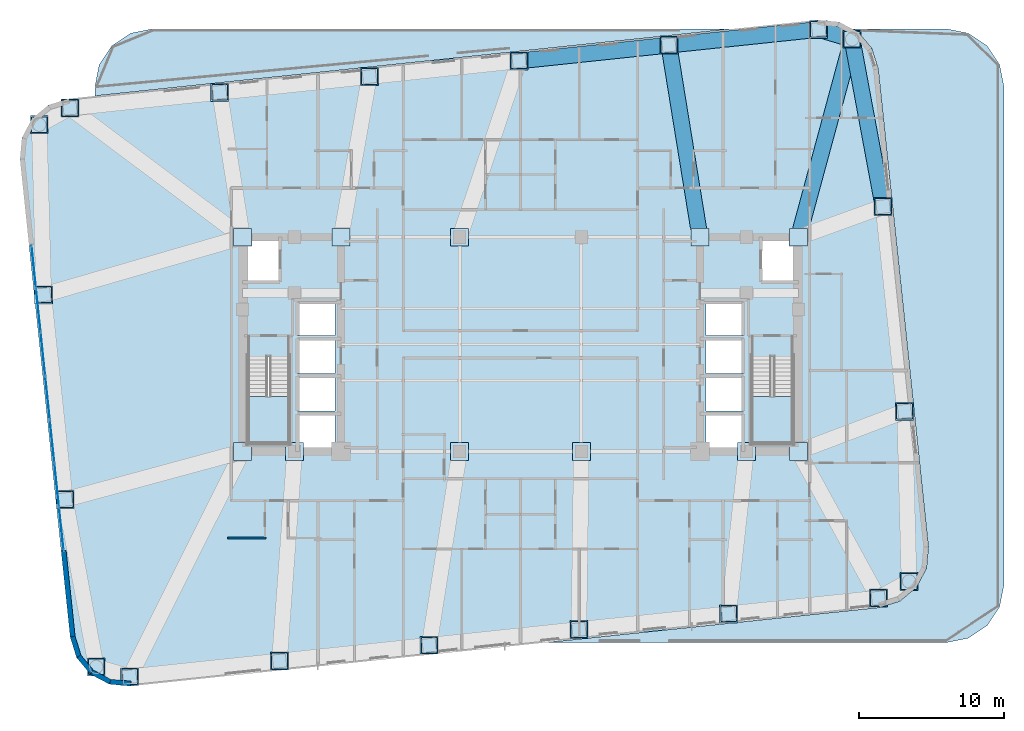
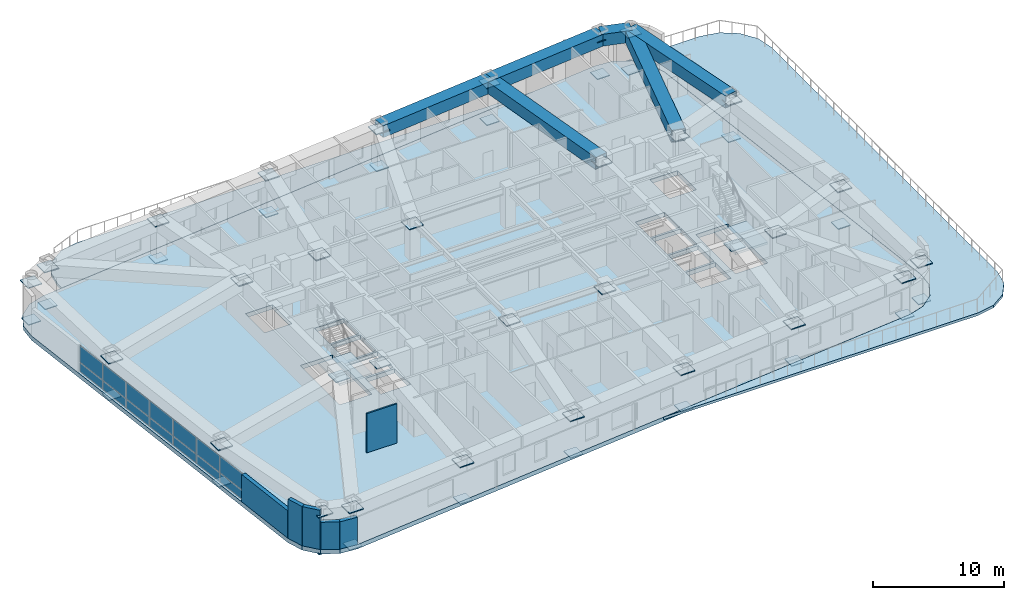
# One storey, part 6 of 15: 65 plates, 6 beams, 6 walls, 5 slabs, 3 elements without a shape of their own.
"""IFC4 building model written with IfcOpenShell, lengths in metres."""

from ifc_helpers import new_model, si_unit, direction, frame, frame_2d, origin, origin_2d, place, context, subcontext, project, spatial, polyline, rectangle, hollow_rectangle, outline, extrude, material, layer, layer_set, material_profile, profile_set, type_object, element, aggregate, save


model = new_model("IFC4")

# Units and contexts
model_context = context("Model", 3, precision=1e-05, world=origin(), true_north=direction((0.0, 1.0)))
body_context = subcontext(model_context, "Body", "Model", "MODEL_VIEW")
ifc_project = project(units=[si_unit("LENGTHUNIT", "METRE"), si_unit("AREAUNIT", "SQUARE_METRE"), si_unit("VOLUMEUNIT", "CUBIC_METRE"), si_unit("PLANEANGLEUNIT", "RADIAN"), si_unit("MASSUNIT", "GRAM", prefix="KILO")], contexts=[model_context])

# Site, building, storey
site_placement = place(None, origin())
site = spatial("IfcSite", under=ifc_project, at=site_placement, CompositionType="ELEMENT")
building_placement = place(site_placement, origin())
building = spatial("IfcBuilding", under=site, at=building_placement, Name="Voryun Gate Residences", CompositionType="ELEMENT")
storey_placement = place(building_placement, frame((0.0, 0.0, 140.39990234375)))
storey = spatial("IfcBuildingStorey", under=building, at=storey_placement, Name="L34", CompositionType="ELEMENT", Elevation=140.39990234375)

# Beams
ifc_material_1 = material(Name="Steel SM420", Category="steel")
ifc_material_profile = material_profile(ifc_material_1, hollow_rectangle(XDim=1.10009765625, YDim=1.10009765625, WallThickness=0.035888671875, at=origin_2d()), Name="BOX-1100x1100x36")
ifc_profile_set = profile_set([ifc_material_profile], Name="Steel SM420")
beam_type = type_object("IfcBeamType", Name="BM_ARCH_RIB", PredefinedType="USERDEFINED", material=ifc_profile_set)
beam_1_placement = place(storey_placement, frame((25.047119140625, 9.51806640625, 3.10009765625), z_axis=(-0.182267768769, 0.983248931079, 0.0), x_axis=(-0.983248931079, -0.182267768769, 0.0)))
element("IfcBeam", 1, at=beam_1_placement, inside=storey, type_object=beam_type, Name="BM-L34-SPAND-09", ObjectType="GIRDER", PredefinedType="USERDEFINED", context=body_context, shape_type="SweptSolid", body=[
    extrude(hollow_rectangle(XDim=1.10009765625, YDim=1.10009765625, WallThickness=0.035888671875, at=origin_2d()), origin(), (0.0, 0.0, 1.0), 11.753662109375),
])
beam_2_placement = place(storey_placement, frame((22.90478515625, 21.074951171875, 3.10009765625), z_axis=(-0.958843048967, 0.283936625758, 0.0), x_axis=(-0.283936625758, -0.958843048967, 0.0)))
element("IfcBeam", 2, at=beam_2_placement, inside=storey, type_object=beam_type, Name="BM-L34-SPAND-10", ObjectType="GIRDER", PredefinedType="USERDEFINED", context=body_context, shape_type="SweptSolid", body=[
    extrude(hollow_rectangle(XDim=1.10009765625, YDim=1.10009765625, WallThickness=0.035888671875, at=origin_2d()), origin(), (0.0, 0.0, 1.0), 2.410888671875),
])
for number, where, z_axis, x_axis, name in (
    (3, (20.593017578125, 21.759521484375, 3.10009765625), (-0.994521263116, -0.104534478571, 0.0), (0.104534478571, -0.994521263116, 0.0), "BM-L34-SPAND-11"),
    (4, (10.25, 20.67236328125, 3.10009765625), (-0.99452370336, -0.10451125994, 0.0), (0.10451125994, -0.99452370336, 0.0), "BM-L34-SPAND-12"),
):
    element("IfcBeam", number, at=place(storey_placement, frame(where, z_axis=z_axis, x_axis=x_axis)), inside=storey, type_object=beam_type, Name=name, ObjectType="GIRDER", PredefinedType="USERDEFINED", context=body_context, shape_type="SweptSolid", body=[
        extrude(hollow_rectangle(XDim=1.10009765625, YDim=1.10009765625, WallThickness=0.035888671875, at=origin_2d()), origin(), (0.0, 0.0, 1.0), 10.39990234375),
    ])
beam_3_placement = place(storey_placement, frame((19.199951171875, 7.39990234375, 3.10009765625), z_axis=(0.261492735838, 0.965205443988, 0.0), x_axis=(-0.965205443988, 0.261492735838, 0.0)))
element("IfcBeam", 5, at=beam_3_placement, inside=storey, type_object=beam_type, Name="BM-L34-RAD-CNE", ObjectType="GIRDER", PredefinedType="USERDEFINED", context=body_context, shape_type="SweptSolid", body=[
    extrude(hollow_rectangle(XDim=1.10009765625, YDim=1.10009765625, WallThickness=0.035888671875, at=origin_2d()), origin(), (0.0, 0.0, 1.0), 14.16796875),
])
beam_4_placement = place(storey_placement, frame((12.39990234375, 7.39990234375, 3.10009765625), z_axis=(-0.159898055533, 0.987133532931, 0.0), x_axis=(-0.987133532931, -0.159898055533, 0.0)))
element("IfcBeam", 6, at=beam_4_placement, inside=storey, type_object=beam_type, Name="BM-L34-RAD-N2", ObjectType="GIRDER", PredefinedType="USERDEFINED", context=body_context, shape_type="SweptSolid", body=[
    extrude(hollow_rectangle(XDim=1.10009765625, YDim=1.10009765625, WallThickness=0.035888671875, at=origin_2d()), origin(), (0.0, 0.0, 1.0), 13.445556640625),
])

# Plates
ifc_material_2 = material(Name="Steel SM355", Category="steel")
ifc_layer_1 = layer(ifc_material_2, 0.02490234375, Name="PLT_END_CAP_25")
ifc_layer_set_1 = layer_set([ifc_layer_1], Name="Steel SM355")
plate_type_1 = type_object("IfcPlateType", Name="PLT_END_CAP_25", PredefinedType="USERDEFINED", material=ifc_layer_set_1)
for number, where, z_axis, x_axis, name in (
    (7, (-26.9931640625, -22.95947265625, -0.43994140625), (0.0, 0.0, 1.0), (1.0, 0.0, 0.0), "L34 Hollow Member End-Cap Plate EC-447"),
    (8, (-16.650146484375, -21.87255859375, -0.43994140625), (0.0, 0.0, 1.0), (1.0, 0.0, 0.0), "L34 Hollow Member End-Cap Plate EC-448"),
    (9, (-6.30712890625, -20.785400390625, -0.43994140625), (0.0, 0.0, 1.0), (1.0, 0.0, 0.0), "L34 Hollow Member End-Cap Plate EC-449"),
    (10, (4.035888671875, -19.6982421875, -0.43994140625), (0.0, 0.0, 1.0), (1.0, 0.0, 0.0), "L34 Hollow Member End-Cap Plate EC-450"),
    (11, (14.37890625, -18.611083984375, -0.43994140625), (0.0, 0.0, 1.0), (1.0, 0.0, 0.0), "L34 Hollow Member End-Cap Plate EC-451"),
    (12, (24.721923828125, -17.524169921875, -0.43994140625), (0.0, 0.0, 1.0), (1.0, 0.0, 0.0), "L34 Hollow Member End-Cap Plate EC-452"),
    (13, (26.8408203125, -16.373779296875, -0.43994140625), (0.0, 0.0, 1.0), (1.0, 0.0, 0.0), "L34 Hollow Member End-Cap Plate EC-453"),
    (14, (26.533447265625, -4.6240234375, -0.43994140625), (0.0, 0.0, 1.0), (1.0, 0.0, 0.0), "L34 Hollow Member End-Cap Plate EC-454"),
    (15, (25.047119140625, 9.51806640625, -0.43994140625), (0.0, 0.0, 1.0), (1.0, 0.0, 0.0), "L34 Hollow Member End-Cap Plate EC-455"),
    (16, (22.90478515625, 21.07470703125, -0.43994140625), (0.0, 0.0, 1.0), (1.0, 0.0, 0.0), "L34 Hollow Member End-Cap Plate EC-456"),
    (17, (20.593017578125, 21.759521484375, -0.43994140625), (0.0, 0.0, 1.0), (1.0, 0.0, 0.0), "L34 Hollow Member End-Cap Plate EC-457"),
    (18, (10.25, 20.672607421875, -0.43994140625), (0.0, 0.0, 1.0), (1.0, 0.0, 0.0), "L34 Hollow Member End-Cap Plate EC-458"),
    (19, (-0.093017578125, 19.58544921875, -0.43994140625), (0.0, 0.0, 1.0), (1.0, 0.0, 0.0), "L34 Hollow Member End-Cap Plate EC-459"),
    (20, (-10.43603515625, 18.498291015625, -0.43994140625), (0.0, 0.0, 1.0), (1.0, 0.0, 0.0), "L34 Hollow Member End-Cap Plate EC-460"),
    (21, (-20.779052734375, 17.4111328125, -0.43994140625), (0.0, 0.0, 1.0), (1.0, 0.0, 0.0), "L34 Hollow Member End-Cap Plate EC-461"),
    (22, (-31.1220703125, 16.32421875, -0.43994140625), (0.0, 0.0, 1.0), (1.0, 0.0, 0.0), "L34 Hollow Member End-Cap Plate EC-462"),
    (23, (-33.24072265625, 15.173583984375, -0.43994140625), (0.0, 0.0, 1.0), (1.0, 0.0, 0.0), "L34 Hollow Member End-Cap Plate EC-463"),
    (24, (-32.93359375, 3.424072265625, -0.43994140625), (0.0, 0.0, 1.0), (1.0, 0.0, 0.0), "L34 Hollow Member End-Cap Plate EC-464"),
    (25, (-31.447021484375, -10.718017578125, -0.43994140625), (0.0, 0.0, 1.0), (1.0, 0.0, 0.0), "L34 Hollow Member End-Cap Plate EC-465"),
    (26, (-29.3046875, -22.27490234375, -0.43994140625), (0.0, 0.0, 1.0), (1.0, 0.0, 0.0), "L34 Hollow Member End-Cap Plate EC-466"),
):
    element("IfcPlate", number, at=place(storey_placement, frame(where, z_axis=z_axis, x_axis=x_axis)), inside=storey, type_object=plate_type_1, Name=name, ObjectType="BASE_PLATE", PredefinedType="USERDEFINED", context=body_context, shape_type="SweptSolid", body=[
        extrude(rectangle(XDim=1.090087890625, YDim=1.090087890625, at=origin_2d()), origin(), (0.0, 0.0, 1.0), 0.080078125),
    ])
for number, where, z_axis, x_axis, name in (
    (27, (-26.9931640625, -22.959716796875, 3.06005859375), (0.0, 0.0, 1.0), (1.0, 0.0, 0.0), "L34 Hollow Member End-Cap Plate EC-467"),
    (28, (-16.650146484375, -21.87255859375, 3.06005859375), (0.0, 0.0, 1.0), (1.0, 0.0, 0.0), "L34 Hollow Member End-Cap Plate EC-468"),
    (29, (-6.30712890625, -20.785400390625, 3.06005859375), (0.0, 0.0, 1.0), (1.0, 0.0, 0.0), "L34 Hollow Member End-Cap Plate EC-469"),
    (30, (4.035888671875, -19.6982421875, 3.06005859375), (0.0, 0.0, 1.0), (1.0, 0.0, 0.0), "L34 Hollow Member End-Cap Plate EC-470"),
    (31, (14.37890625, -18.611083984375, 3.06005859375), (0.0, 0.0, 1.0), (1.0, 0.0, 0.0), "L34 Hollow Member End-Cap Plate EC-471"),
    (32, (24.721923828125, -17.524169921875, 3.06005859375), (0.0, 0.0, 1.0), (1.0, 0.0, 0.0), "L34 Hollow Member End-Cap Plate EC-472"),
    (33, (26.8408203125, -16.373779296875, 3.06005859375), (0.0, 0.0, 1.0), (1.0, 0.0, 0.0), "L34 Hollow Member End-Cap Plate EC-473"),
    (34, (26.533447265625, -4.6240234375, 3.06005859375), (0.0, 0.0, 1.0), (1.0, 0.0, 0.0), "L34 Hollow Member End-Cap Plate EC-474"),
    (35, (25.047119140625, 9.51806640625, 3.06005859375), (0.0, 0.0, 1.0), (1.0, 0.0, 0.0), "L34 Hollow Member End-Cap Plate EC-475"),
    (36, (22.90478515625, 21.07470703125, 3.06005859375), (0.0, 0.0, 1.0), (1.0, 0.0, 0.0), "L34 Hollow Member End-Cap Plate EC-476"),
    (37, (20.593017578125, 21.759521484375, 3.06005859375), (0.0, 0.0, 1.0), (1.0, 0.0, 0.0), "L34 Hollow Member End-Cap Plate EC-477"),
    (38, (10.25, 20.672607421875, 3.06005859375), (0.0, 0.0, 1.0), (1.0, 0.0, 0.0), "L34 Hollow Member End-Cap Plate EC-478"),
    (39, (-0.093017578125, 19.585205078125, 3.06005859375), (0.0, 0.0, 1.0), (1.0, 0.0, 0.0), "L34 Hollow Member End-Cap Plate EC-479"),
    (40, (-10.43603515625, 18.498291015625, 3.06005859375), (0.0, 0.0, 1.0), (1.0, 0.0, 0.0), "L34 Hollow Member End-Cap Plate EC-480"),
    (41, (-20.779052734375, 17.4111328125, 3.06005859375), (0.0, 0.0, 1.0), (1.0, 0.0, 0.0), "L34 Hollow Member End-Cap Plate EC-481"),
    (42, (-31.1220703125, 16.32421875, 3.06005859375), (0.0, 0.0, 1.0), (1.0, 0.0, 0.0), "L34 Hollow Member End-Cap Plate EC-482"),
    (43, (-33.24072265625, 15.173583984375, 3.06005859375), (0.0, 0.0, 1.0), (1.0, 0.0, 0.0), "L34 Hollow Member End-Cap Plate EC-483"),
    (44, (-32.93359375, 3.424072265625, 3.06005859375), (0.0, 0.0, 1.0), (1.0, 0.0, 0.0), "L34 Hollow Member End-Cap Plate EC-484"),
    (45, (-31.447021484375, -10.718017578125, 3.06005859375), (0.0, 0.0, 1.0), (1.0, 0.0, 0.0), "L34 Hollow Member End-Cap Plate EC-485"),
    (46, (-29.3046875, -22.27490234375, 3.06005859375), (0.0, 0.0, 1.0), (1.0, 0.0, 0.0), "L34 Hollow Member End-Cap Plate EC-486"),
    (47, (-19.199951171875, -7.39990234375, 3.06005859375), (0.0, 0.0, 1.0), (1.0, 0.0, 0.0), "L34 Hollow Member End-Cap Plate EC-487"),
    (48, (-15.60009765625, -7.39990234375, 3.06005859375), (0.0, 0.0, 1.0), (1.0, 0.0, 0.0), "L34 Hollow Member End-Cap Plate EC-488"),
    (49, (-4.199951171875, -7.39990234375, 3.06005859375), (0.0, 0.0, 1.0), (1.0, 0.0, 0.0), "L34 Hollow Member End-Cap Plate EC-489"),
    (50, (4.199951171875, -7.39990234375, 3.06005859375), (0.0, 0.0, 1.0), (1.0, 0.0, 0.0), "L34 Hollow Member End-Cap Plate EC-490"),
    (51, (15.60009765625, -7.39990234375, 3.06005859375), (0.0, 0.0, 1.0), (1.0, 0.0, 0.0), "L34 Hollow Member End-Cap Plate EC-491"),
    (52, (19.199951171875, -7.39990234375, 3.06005859375), (0.0, 0.0, 1.0), (1.0, 0.0, 0.0), "L34 Hollow Member End-Cap Plate EC-492"),
    (53, (19.199951171875, 7.39990234375, 3.06005859375), (0.0, 0.0, 1.0), (1.0, 0.0, 0.0), "L34 Hollow Member End-Cap Plate EC-493"),
    (54, (12.39990234375, 7.39990234375, 3.06005859375), (0.0, 0.0, 1.0), (1.0, 0.0, 0.0), "L34 Hollow Member End-Cap Plate EC-494"),
    (55, (-4.199951171875, 7.39990234375, 3.06005859375), (0.0, 0.0, 1.0), (1.0, 0.0, 0.0), "L34 Hollow Member End-Cap Plate EC-495"),
    (56, (-12.39990234375, 7.39990234375, 3.06005859375), (0.0, 0.0, 1.0), (1.0, 0.0, 0.0), "L34 Hollow Member End-Cap Plate EC-496"),
    (57, (-19.199951171875, 7.39990234375, 3.06005859375), (0.0, 0.0, 1.0), (1.0, 0.0, 0.0), "L34 Hollow Member End-Cap Plate EC-497"),
):
    element("IfcPlate", number, at=place(storey_placement, frame(where, z_axis=z_axis, x_axis=x_axis)), inside=storey, type_object=plate_type_1, Name=name, ObjectType="BASE_PLATE", PredefinedType="USERDEFINED", context=body_context, shape_type="SweptSolid", body=[
        extrude(rectangle(XDim=1.239990234375, YDim=1.239990234375, at=origin_2d()), origin(), (0.0, 0.0, 1.0), 0.080078125),
    ])

# Curtain wall, plates
ifc_material_3 = material(Name="Anodised aluminium", Category="aluminium")
ifc_layer_2 = layer(ifc_material_3, 0.2099609375, Name="CW_SYS_SKYGARDEN_DARK_GLASS")
ifc_layer_set_2 = layer_set([ifc_layer_2], Name="Anodised aluminium")
curtain_wall_type = type_object("IfcCurtainWallType", Name="CW_SYS_SKYGARDEN_DARK_GLASS", PredefinedType="NOTDEFINED", material=ifc_layer_set_2)
curtain_wall_placement = place(storey_placement, origin())
curtain_wall = element("IfcCurtainWall", 58, at=curtain_wall_placement, inside=storey, type_object=curtain_wall_type, Name="Curtain wall CW5-L34-SG-06", PredefinedType="NOTDEFINED")
ifc_material_4 = material(Name="Laminated low-E glass", Category="glass")
ifc_layer_3 = layer(ifc_material_4, 0.0458984375, Name="PLT_GLASS_DARK_SKY")
ifc_layer_set_3 = layer_set([ifc_layer_3], Name="Laminated low-E glass")
plate_type_2 = type_object("IfcPlateType", Name="PLT_GLASS_DARK_SKY", PredefinedType="CURTAIN_PANEL", material=ifc_layer_set_3)
plate_1_placement = place(storey_placement, frame((-31.71826171875, -12.7294921875, 0.06005859375), z_axis=(0.0, 0.0, 1.0), x_axis=(-0.104529794654, 0.994521755433, 0.0)))
plate_1 = element("IfcPlate", 59, at=plate_1_placement, type_object=plate_type_2, Name="CW5 panel 1.1", PredefinedType="CURTAIN_PANEL", context=body_context, shape_type="SweptSolid", body=[
    extrude(rectangle(XDim=2.9423828125, YDim=0.028076171875, at=origin_2d()), origin(), (0.0, 0.0, 1.0), 0.824462890625),
])
plate_2_placement = place(storey_placement, frame((-31.71826171875, -12.7294921875, 0.944580078125), z_axis=(0.0, 0.0, 1.0), x_axis=(-0.104529794654, 0.994521755433, 0.0)))
plate_2 = element("IfcPlate", 60, at=plate_2_placement, type_object=plate_type_2, Name="CW5 panel 1.2", PredefinedType="CURTAIN_PANEL", context=body_context, shape_type="SweptSolid", body=[
    extrude(rectangle(XDim=2.9423828125, YDim=0.028076171875, at=origin_2d()), origin(), (0.0, 0.0, 1.0), 1.53564453125),
])
plate_3_placement = place(storey_placement, frame((-32.03369140625, -9.728759765625, 0.06005859375), z_axis=(0.0, 0.0, 1.0), x_axis=(-0.104529794654, 0.994521755433, 0.0)))
plate_3 = element("IfcPlate", 61, at=plate_3_placement, type_object=plate_type_2, Name="CW5 panel 2.1", PredefinedType="CURTAIN_PANEL", context=body_context, shape_type="SweptSolid", body=[
    extrude(rectangle(XDim=2.972412109375, YDim=0.028076171875, at=origin_2d()), origin(), (0.0, 0.0, 1.0), 0.824462890625),
])
plate_4_placement = place(storey_placement, frame((-32.03369140625, -9.728759765625, 0.944580078125), z_axis=(0.0, 0.0, 1.0), x_axis=(-0.104529794654, 0.994521755433, 0.0)))
plate_4 = element("IfcPlate", 62, at=plate_4_placement, type_object=plate_type_2, Name="CW5 panel 2.2", PredefinedType="CURTAIN_PANEL", context=body_context, shape_type="SweptSolid", body=[
    extrude(rectangle(XDim=2.972412109375, YDim=0.028076171875, at=origin_2d()), origin(), (0.0, 0.0, 1.0), 1.53564453125),
])
plate_5_placement = place(storey_placement, frame((-32.350830078125, -6.712890625, 0.06005859375), z_axis=(0.0, 0.0, 1.0), x_axis=(-0.104529794654, 0.994521755433, 0.0)))
plate_5 = element("IfcPlate", 63, at=plate_5_placement, type_object=plate_type_2, Name="CW5 panel 3.1", PredefinedType="CURTAIN_PANEL", context=body_context, shape_type="SweptSolid", body=[
    extrude(rectangle(XDim=2.972412109375, YDim=0.028076171875, at=origin_2d()), origin(), (0.0, 0.0, 1.0), 0.824462890625),
])
plate_6_placement = place(storey_placement, frame((-32.350830078125, -6.712890625, 0.944580078125), z_axis=(0.0, 0.0, 1.0), x_axis=(-0.104529794654, 0.994521755433, 0.0)))
plate_6 = element("IfcPlate", 64, at=plate_6_placement, type_object=plate_type_2, Name="CW5 panel 3.2", PredefinedType="CURTAIN_PANEL", context=body_context, shape_type="SweptSolid", body=[
    extrude(rectangle(XDim=2.972412109375, YDim=0.028076171875, at=origin_2d()), origin(), (0.0, 0.0, 1.0), 1.53564453125),
])
plate_7_placement = place(storey_placement, frame((-32.667724609375, -3.697265625, 0.06005859375), z_axis=(0.0, 0.0, 1.0), x_axis=(-0.104529794654, 0.994521755433, 0.0)))
plate_7 = element("IfcPlate", 65, at=plate_7_placement, type_object=plate_type_2, Name="CW5 panel 4.1", PredefinedType="CURTAIN_PANEL", context=body_context, shape_type="SweptSolid", body=[
    extrude(rectangle(XDim=2.972412109375, YDim=0.028076171875, at=origin_2d()), origin(), (0.0, 0.0, 1.0), 0.824462890625),
])
plate_8_placement = place(storey_placement, frame((-32.667724609375, -3.697265625, 0.944580078125), z_axis=(0.0, 0.0, 1.0), x_axis=(-0.104529794654, 0.994521755433, 0.0)))
plate_8 = element("IfcPlate", 66, at=plate_8_placement, type_object=plate_type_2, Name="CW5 panel 4.2", PredefinedType="CURTAIN_PANEL", context=body_context, shape_type="SweptSolid", body=[
    extrude(rectangle(XDim=2.972412109375, YDim=0.028076171875, at=origin_2d()), origin(), (0.0, 0.0, 1.0), 1.53564453125),
])
plate_9_placement = place(storey_placement, frame((-32.984619140625, -0.681396484375, 0.06005859375), z_axis=(0.0, 0.0, 1.0), x_axis=(-0.104529794654, 0.994521755433, 0.0)))
plate_9 = element("IfcPlate", 67, at=plate_9_placement, type_object=plate_type_2, Name="CW5 panel 5.1", PredefinedType="CURTAIN_PANEL", context=body_context, shape_type="SweptSolid", body=[
    extrude(rectangle(XDim=2.972412109375, YDim=0.028076171875, at=origin_2d()), origin(), (0.0, 0.0, 1.0), 0.824462890625),
])
plate_10_placement = place(storey_placement, frame((-32.984619140625, -0.681396484375, 0.944580078125), z_axis=(0.0, 0.0, 1.0), x_axis=(-0.104529794654, 0.994521755433, 0.0)))
plate_10 = element("IfcPlate", 68, at=plate_10_placement, type_object=plate_type_2, Name="CW5 panel 5.2", PredefinedType="CURTAIN_PANEL", context=body_context, shape_type="SweptSolid", body=[
    extrude(rectangle(XDim=2.972412109375, YDim=0.028076171875, at=origin_2d()), origin(), (0.0, 0.0, 1.0), 1.53564453125),
])
plate_11_placement = place(storey_placement, frame((-33.3017578125, 2.334228515625, 0.06005859375), z_axis=(0.0, 0.0, 1.0), x_axis=(-0.104529794654, 0.994521755433, 0.0)))
plate_11 = element("IfcPlate", 69, at=plate_11_placement, type_object=plate_type_2, Name="CW5 panel 6.1", PredefinedType="CURTAIN_PANEL", context=body_context, shape_type="SweptSolid", body=[
    extrude(rectangle(XDim=2.972412109375, YDim=0.028076171875, at=origin_2d()), origin(), (0.0, 0.0, 1.0), 0.824462890625),
])
plate_12_placement = place(storey_placement, frame((-33.3017578125, 2.334228515625, 0.944580078125), z_axis=(0.0, 0.0, 1.0), x_axis=(-0.104529794654, 0.994521755433, 0.0)))
plate_12 = element("IfcPlate", 70, at=plate_12_placement, type_object=plate_type_2, Name="CW5 panel 6.2", PredefinedType="CURTAIN_PANEL", context=body_context, shape_type="SweptSolid", body=[
    extrude(rectangle(XDim=2.972412109375, YDim=0.028076171875, at=origin_2d()), origin(), (0.0, 0.0, 1.0), 1.53564453125),
])
plate_13_placement = place(storey_placement, frame((-33.616943359375, 5.335205078125, 0.06005859375), z_axis=(0.0, 0.0, 1.0), x_axis=(-0.104529794654, 0.994521755433, 0.0)))
plate_13 = element("IfcPlate", 71, at=plate_13_placement, type_object=plate_type_2, Name="CW5 panel 7.1", PredefinedType="CURTAIN_PANEL", context=body_context, shape_type="SweptSolid", body=[
    extrude(rectangle(XDim=2.9423828125, YDim=0.028076171875, at=origin_2d()), origin(), (0.0, 0.0, 1.0), 0.824462890625),
])
plate_14_placement = place(storey_placement, frame((-33.616943359375, 5.335205078125, 0.944580078125), z_axis=(0.0, 0.0, 1.0), x_axis=(-0.104529794654, 0.994521755433, 0.0)))
plate_14 = element("IfcPlate", 72, at=plate_14_placement, type_object=plate_type_2, Name="CW5 panel 7.2", PredefinedType="CURTAIN_PANEL", context=body_context, shape_type="SweptSolid", body=[
    extrude(rectangle(XDim=2.9423828125, YDim=0.028076171875, at=origin_2d()), origin(), (0.0, 0.0, 1.0), 1.53564453125),
])
aggregate(curtain_wall, [plate_1, plate_2, plate_3, plate_4, plate_5, plate_6, plate_7, plate_8, plate_9, plate_10, plate_11, plate_12, plate_13, plate_14])

# Stair, slab
ifc_material_5 = material(Name="Concrete C40/50", Category="concrete")
stair_type = type_object("IfcStairType", Name="STR_CORE_DOGLEG_1350", PredefinedType="HALF_TURN_STAIR", material=ifc_material_5)
stair_1_placement = place(storey_placement, origin())
stair_1 = element("IfcStair", 73, at=stair_1_placement, inside=storey, type_object=stair_type, Name="L34 Special Escape Stair ST-W1", PredefinedType="HALF_TURN_STAIR")
ifc_material_6 = material(Name="Concrete C40/50", Category="concrete")
ifc_layer_4 = layer(ifc_material_6, 0.199951171875, Name="SLB_STAIR_LANDING_200")
ifc_layer_set_4 = layer_set([ifc_layer_4], Name="Concrete C40/50")
slab_type_1 = type_object("IfcSlabType", Name="SLB_STAIR_LANDING_200", PredefinedType="LANDING", material=ifc_layer_set_4)
slab_1_placement = place(storey_placement, frame((0.0, 0.0, 1.75)))
slab_1 = element("IfcSlab", 74, at=slab_1_placement, type_object=slab_type_1, Name="ST-W1 landing 1", PredefinedType="LANDING", context=body_context, shape_type="SweptSolid", body=[
    extrude(outline(polyline([(-18.824951171875, -3.60009765625), (-18.824951171875, -6.85009765625), (-15.97509765625, -6.85009765625), (-15.97509765625, -3.60009765625), (-18.824951171875, -3.60009765625)])), origin(), (0.0, 0.0, 1.0), 0.2001953125),
])
aggregate(stair_1, [slab_1])

stair_2_placement = place(storey_placement, origin())
stair_2 = element("IfcStair", 75, at=stair_2_placement, inside=storey, type_object=stair_type, Name="L34 Special Escape Stair ST-E1", PredefinedType="HALF_TURN_STAIR")
slab_2_placement = place(storey_placement, frame((0.0, 0.0, 1.75)))
slab_2 = element("IfcSlab", 76, at=slab_2_placement, type_object=slab_type_1, Name="ST-E1 landing 1", PredefinedType="LANDING", context=body_context, shape_type="SweptSolid", body=[
    extrude(outline(polyline([(15.97509765625, -3.60009765625), (15.97509765625, -6.85009765625), (18.824951171875, -6.85009765625), (18.824951171875, -3.60009765625), (15.97509765625, -3.60009765625)])), origin(), (0.0, 0.0, 1.0), 0.2001953125),
])
aggregate(stair_2, [slab_2])

# Slabs
ifc_material_7 = material(Name="Concrete C40/50", Category="concrete")
ifc_layer_5 = layer(ifc_material_7, 0.239990234375, Name="SLB_TERRACE_ROOF_240")
ifc_layer_set_5 = layer_set([ifc_layer_5], Name="Concrete C40/50")
slab_type_2 = type_object("IfcSlabType", Name="SLB_TERRACE_ROOF_240", PredefinedType="ROOF", material=ifc_layer_set_5)
slab_3_placement = place(storey_placement, frame((0.0, 0.0, -0.239990234375)))
element("IfcSlab", 77, at=slab_3_placement, inside=storey, type_object=slab_type_2, Name="Spiralling Setback Sky-Garden Terrace Roof 1", PredefinedType="ROOF", context=body_context, shape_type="SweptSolid", body=[
    extrude(outline(polyline([(29.39990234375, 21.800048828125), (30.9306640625, 21.49560546875), (32.228515625, 20.62841796875), (33.095458984375, 19.330810546875), (33.39990234375, 17.800048828125), (33.39990234375, -16.60009765625), (33.095458984375, -18.130615234375), (32.228515625, -19.428466796875), (30.9306640625, -20.29541015625), (29.39990234375, -20.60009765625), (1.72265625, -20.60009765625), (24.79052734375, -18.175537109375), (24.791015625, -18.17529296875), (24.79150390625, -18.17529296875), (26.20751953125, -17.735595703125), (26.2080078125, -17.7353515625), (26.208251953125, -17.735107421875), (26.208740234375, -17.73486328125), (26.209228515625, -17.734619140625), (27.34912109375, -16.78662109375), (27.349365234375, -16.7861328125), (27.349853515625, -16.785888671875), (27.35009765625, -16.785400390625), (27.350341796875, -16.78515625), (28.040771484375, -15.472900390625), (28.040771484375, -15.472412109375), (28.041015625, -15.471923828125), (28.041259765625, -15.471435546875), (28.041259765625, -15.470947265625), (28.177001953125, -13.99462890625), (28.177001953125, -13.994140625), (28.177001953125, -13.99365234375), (24.70654296875, 19.0244140625), (24.70654296875, 19.02490234375), (24.706298828125, 19.025390625), (24.2666015625, 20.44140625), (24.2666015625, 20.44189453125), (24.266357421875, 20.4423828125), (24.26611328125, 20.44287109375), (24.265869140625, 20.443115234375), (23.317626953125, 21.583251953125), (23.3173828125, 21.58349609375), (23.31689453125, 21.583740234375), (23.316650390625, 21.584228515625), (23.316162109375, 21.58447265625), (22.90625, 21.800048828125), (29.39990234375, 21.800048828125)])), origin(), (0.0, 0.0, 1.0), 0.239990234375),
])
slab_4_placement = place(storey_placement, frame((0.0, 0.0, -0.239990234375)))
element("IfcSlab", 78, at=slab_4_placement, inside=storey, type_object=slab_type_2, Name="Spiralling Setback Sky-Garden Terrace Roof 2", PredefinedType="ROOF", context=body_context, shape_type="SweptSolid", body=[
    extrude(outline(polyline([(-29.39990234375, 17.800048828125), (-29.095458984375, 19.330810546875), (-28.228515625, 20.62841796875), (-26.9306640625, 21.49560546875), (-25.39990234375, 21.800048828125), (14.711669921875, 21.800048828125), (-29.39990234375, 17.16357421875), (-29.39990234375, 17.800048828125)])), origin(), (0.0, 0.0, 1.0), 0.239990234375),
])
ifc_material_8 = material(Name="Concrete C50/60", Category="concrete")
ifc_layer_6 = layer(ifc_material_8, 0.39990234375, Name="SLB_XFER_400")
ifc_layer_set_6 = layer_set([ifc_layer_6], Name="Concrete C50/60")
slab_type_3 = type_object("IfcSlabType", Name="SLB_XFER_400", PredefinedType="FLOOR", material=ifc_layer_set_6)
slab_5_placement = place(storey_placement, frame((0.0, 0.0, -0.39990234375)))
element("IfcSlab", 79, at=slab_5_placement, inside=storey, type_object=slab_type_3, Name="L34 Structural Floor Slab", PredefinedType="FLOOR", context=body_context, shape_type="SweptSolid", body=[
    extrude(outline(polyline([(-26.92529296875, -23.60595703125), (-28.401611328125, -23.47021484375), (-29.7138671875, -22.780029296875), (-30.661865234375, -21.639892578125), (-31.1015625, -20.22412109375), (-34.572021484375, 12.794189453125), (-34.436279296875, 14.2705078125), (-33.745849609375, 15.582763671875), (-32.60595703125, 16.53076171875), (-31.18994140625, 16.970458984375), (20.525146484375, 22.406005859375), (22.001708984375, 22.270263671875), (23.313720703125, 21.580078125), (24.261962890625, 20.43994140625), (24.70166015625, 19.02392578125), (28.171875, -13.994140625), (28.036376953125, -15.470458984375), (27.345947265625, -16.78271484375), (26.2060546875, -17.730712890625), (24.7900390625, -18.17041015625), (-26.92529296875, -23.60595703125)]), holes=[polyline([(-12.800048828125, -4.800048828125), (-15.39990234375, -4.800048828125), (-15.39990234375, -7.199951171875), (-12.800048828125, -7.199951171875), (-12.800048828125, -4.800048828125)]), polyline([(-18.824951171875, -6.85009765625), (-15.97509765625, -6.85009765625), (-15.97509765625, -0.840087890625), (-18.824951171875, -0.840087890625), (-18.824951171875, -6.85009765625)]), polyline([(-12.800048828125, -4.60009765625), (-12.800048828125, -2.199951171875), (-15.39990234375, -2.199951171875), (-15.39990234375, -4.60009765625), (-12.800048828125, -4.60009765625)]), polyline([(-12.800048828125, 0.39990234375), (-15.39990234375, 0.39990234375), (-15.39990234375, -2.0), (-12.800048828125, -2.0), (-12.800048828125, 0.39990234375)]), polyline([(-12.800048828125, 0.60009765625), (-12.800048828125, 2.89990234375), (-15.39990234375, 2.89990234375), (-15.39990234375, 0.60009765625), (-12.800048828125, 0.60009765625)]), polyline([(-16.60009765625, 4.300048828125), (-16.60009765625, 7.199951171875), (-19.0, 7.199951171875), (-19.0, 4.300048828125), (-16.60009765625, 4.300048828125)]), polyline([(15.39990234375, -4.800048828125), (12.800048828125, -4.800048828125), (12.800048828125, -7.199951171875), (15.39990234375, -7.199951171875), (15.39990234375, -4.800048828125)]), polyline([(15.97509765625, -6.85009765625), (18.824951171875, -6.85009765625), (18.824951171875, -0.840087890625), (15.97509765625, -0.840087890625), (15.97509765625, -6.85009765625)]), polyline([(15.39990234375, -4.60009765625), (15.39990234375, -2.199951171875), (12.800048828125, -2.199951171875), (12.800048828125, -4.60009765625), (15.39990234375, -4.60009765625)]), polyline([(15.39990234375, 0.39990234375), (12.800048828125, 0.39990234375), (12.800048828125, -2.0), (15.39990234375, -2.0), (15.39990234375, 0.39990234375)]), polyline([(15.39990234375, 0.60009765625), (15.39990234375, 2.89990234375), (12.800048828125, 2.89990234375), (12.800048828125, 0.60009765625), (15.39990234375, 0.60009765625)]), polyline([(19.0, 4.300048828125), (19.0, 7.199951171875), (16.60009765625, 7.199951171875), (16.60009765625, 4.300048828125), (19.0, 4.300048828125)])]), origin(), (0.0, 0.0, 1.0), 0.39990234375),
])

# Walls
ifc_material_9 = material(Name="Charcoal terracotta masonry", Category="masonry")
ifc_layer_7 = layer(ifc_material_9, 0.340087890625, Name="W_EXT_TERRACOTTA_340")
ifc_layer_set_7 = layer_set([ifc_layer_7], Name="Charcoal terracotta masonry")
wall_type_1 = type_object("IfcWallType", Name="W_EXT_TERRACOTTA_340", PredefinedType="ELEMENTEDWALL", material=ifc_layer_set_7)
wall_1_placement = place(storey_placement, frame((-26.92626953125, -23.435302734375, 0.0), z_axis=(0.0, 0.0, 1.0), x_axis=(-0.995800460351, 0.091550222087, 0.0)))
element("IfcWall", 80, at=wall_1_placement, inside=storey, type_object=wall_type_1, Name="Exterior wall WEXT-L34-02", PredefinedType="ELEMENTEDWALL", context=body_context, shape_type="SweptSolid", body=[
    extrude(rectangle(XDim=1.43212890625, YDim=0.340087890625, at=frame_2d((0.716064453125, 0.0))), origin(), (0.0, 0.0, 1.0), 2.5400390625),
])
wall_2_placement = place(storey_placement, frame((-28.352294921875, -23.30419921875, 0.0), z_axis=(0.0, 0.0, 1.0), x_axis=(-0.884989312682, 0.465611336243, 0.0)))
element("IfcWall", 81, at=wall_2_placement, inside=storey, type_object=wall_type_1, Name="Exterior wall WEXT-L34-03", PredefinedType="ELEMENTEDWALL", context=body_context, shape_type="SweptSolid", body=[
    extrude(rectangle(XDim=1.415283203125, YDim=0.340087890625, at=frame_2d((0.70751953125, 0.0))), origin(), (0.0, 0.0, 1.0), 2.5400390625),
])
wall_3_placement = place(storey_placement, frame((-29.604736328125, -22.645263671875, 0.0), z_axis=(0.0, 0.0, 1.0), x_axis=(-0.639437361921, 0.768843196093, 0.0)))
element("IfcWall", 82, at=wall_3_placement, inside=storey, type_object=wall_type_1, Name="Exterior wall WEXT-L34-04", PredefinedType="ELEMENTEDWALL", context=body_context, shape_type="SweptSolid", body=[
    extrude(rectangle(XDim=1.4150390625, YDim=0.340087890625, at=frame_2d((0.70751953125, 0.0))), origin(), (0.0, 0.0, 1.0), 3.650146484375),
])
wall_4_placement = place(storey_placement, frame((-30.509521484375, -21.557373046875, 0.0), z_axis=(0.0, 0.0, 1.0), x_axis=(-0.296624409546, 0.9549942197, 0.0)))
element("IfcWall", 83, at=wall_4_placement, inside=storey, type_object=wall_type_1, Name="Exterior wall WEXT-L34-05", PredefinedType="ELEMENTEDWALL", context=body_context, shape_type="SweptSolid", body=[
    extrude(rectangle(XDim=1.43212890625, YDim=0.340087890625, at=frame_2d((0.716064453125, 0.0))), origin(), (0.0, 0.0, 1.0), 3.650146484375),
])
wall_5_placement = place(storey_placement, frame((-30.934326171875, -20.189697265625, 0.0), z_axis=(0.0, 0.0, 1.0), x_axis=(-0.104523002937, 0.994522469257, 0.0)))
element("IfcWall", 84, at=wall_5_placement, inside=storey, type_object=wall_type_1, Name="Exterior wall WEXT-L34-06A", PredefinedType="ELEMENTEDWALL", context=body_context, shape_type="SweptSolid", body=[
    extrude(rectangle(XDim=5.97021484375, YDim=0.340087890625, at=frame_2d((2.985107421875, 0.0))), origin(), (0.0, 0.0, 1.0), 2.5400390625),
])
ifc_material_10 = material(Name="Gypsum acoustic partition")
ifc_layer_8 = layer(ifc_material_10, 0.125, Name="W_UNIT_PART_125")
ifc_layer_set_8 = layer_set([ifc_layer_8], Name="Gypsum acoustic partition")
wall_type_2 = type_object("IfcWallType", Name="W_UNIT_PART_125", PredefinedType="PARTITIONING", material=ifc_layer_set_8)
wall_6_placement = place(storey_placement, frame((-20.219970703125, -13.3701171875, 0.0), z_axis=(0.0, 0.0, 1.0), x_axis=(1.0, 0.0, 0.0)))
element("IfcWall", 85, at=wall_6_placement, inside=storey, type_object=wall_type_2, Name="Partition wall WP-L34-S1-CHK", PredefinedType="PARTITIONING", context=body_context, shape_type="SweptSolid", body=[
    extrude(rectangle(XDim=2.6298828125, YDim=0.125, at=frame_2d((1.31494140625, 0.0))), origin(), (0.0, 0.0, 1.0), 3.650146484375),
])

save(model, "model.ifc")
